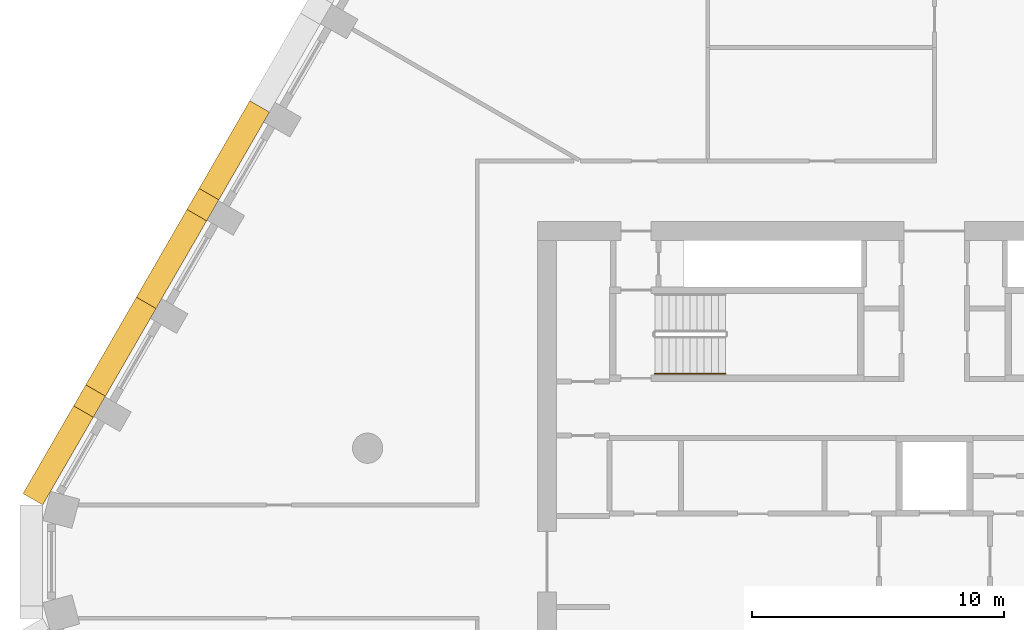
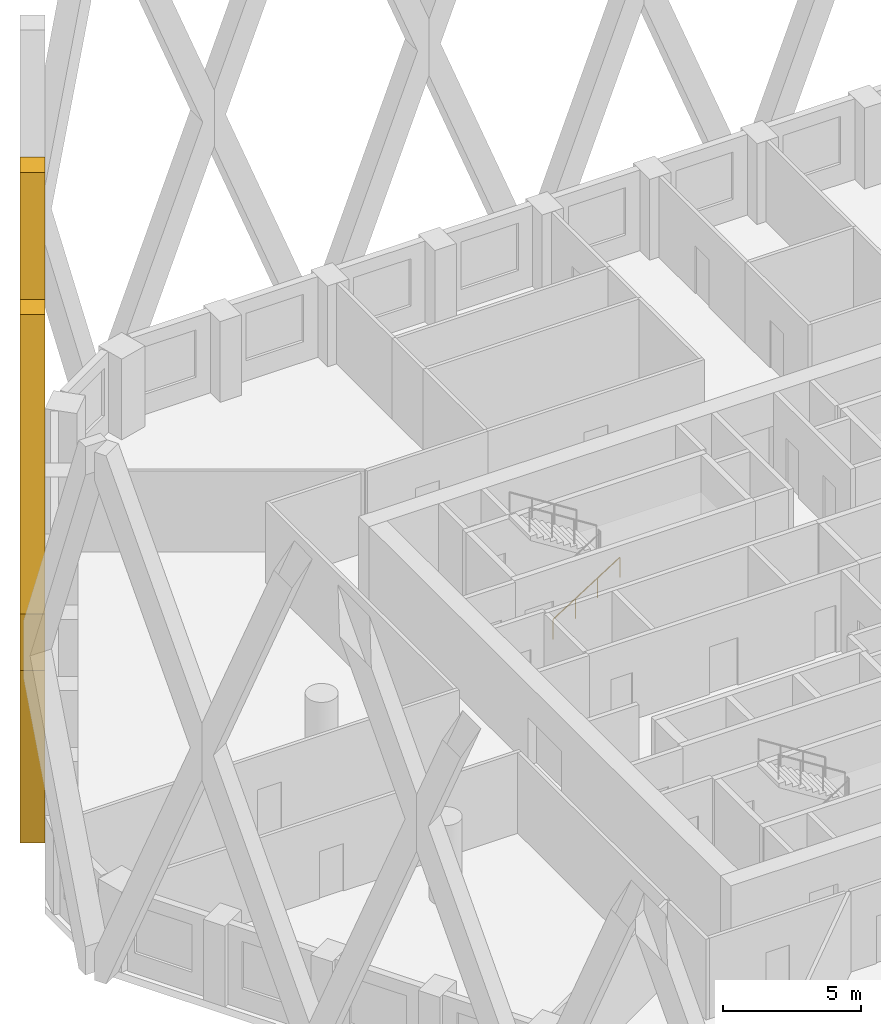
# One storey, part 13 of 17: 2 coverings, 1 railing.
"""IFC4 building model written with IfcOpenShell, lengths in metres."""

from ifc_helpers import new_model, si_unit, direction, frame, origin, origin_2d, place, context, subcontext, project, spatial, polyline, circle, outline, extrude, material, type_object, element, save


model = new_model("IFC4")

# Units and contexts
model_context = context("Model", 3, precision=1e-05, world=origin(), true_north=direction((0.0, 1.0)))
body_context = subcontext(model_context, "Body", "Model", "MODEL_VIEW")
ifc_project = project(units=[si_unit("LENGTHUNIT", "METRE"), si_unit("AREAUNIT", "SQUARE_METRE"), si_unit("VOLUMEUNIT", "CUBIC_METRE"), si_unit("PLANEANGLEUNIT", "RADIAN"), si_unit("MASSUNIT", "GRAM", prefix="KILO")], contexts=[model_context])

# Site, building, storey
site_placement = place(None, origin())
site = spatial("IfcSite", under=ifc_project, at=site_placement, CompositionType="ELEMENT")
building_placement = place(site_placement, origin())
building = spatial("IfcBuilding", under=site, at=building_placement, Name="Dhurran Vertical Campus", CompositionType="ELEMENT")
storey_placement = place(building_placement, frame((0.0, 0.0, 156.0)))
storey = spatial("IfcBuildingStorey", under=building, at=storey_placement, Name="L38", CompositionType="ELEMENT", Elevation=156.0)

# Coverings
ifc_material_1 = material(Name="Precast concrete C50/60", Category="concrete")
covering_type = type_object("IfcCoveringType", Name="Folded precast fin lattice diamond", PredefinedType="USERDEFINED", material=ifc_material_1)
for number, where, z_axis, x_axis, name in (
    (1, (-26.397216796875, 17.83837890625, 0.0), (-0.865896406789, 0.500223362819, 0.0), (-0.500223362819, -0.865896406789, 0.0), "FN1 L38.022"),
    (2, (-30.897216796875, 10.044189453125, 0.0), (-0.866013897511, 0.50001992892, 0.0), (-0.50001992892, -0.866013897511, 0.0), "FN1 L38.023"),
):
    element("IfcCovering", number, at=place(storey_placement, frame(where, z_axis=z_axis, x_axis=x_axis)), inside=storey, type_object=covering_type, Name=name, ObjectType="FIN", PredefinedType="USERDEFINED", context=body_context, shape_type="SweptSolid", body=[
        extrude(outline(polyline([(9.0, 12.95361328125), (9.0, 10.4462890625), (4.982177734375, 0.0), (4.017822265625, 0.0), (0.0, 10.4462890625), (0.0, 12.95361328125), (4.017822265625, 23.39990234375), (4.982177734375, 23.39990234375), (9.0, 12.95361328125)]), holes=[polyline([(8.517822265625, 11.699951171875), (4.5, 22.146484375), (0.482177734375, 11.699951171875), (4.5, 1.253662109375), (8.517822265625, 11.699951171875)])]), origin(), (0.0, 0.0, 1.0), 0.89990234375),
    ])

# Railing
ifc_material_2 = material(Name="Stainless steel handrail", Category="steel")
railing_type = type_object("IfcRailingType", Name="co-RL-HANDRAIL-900", PredefinedType="HANDRAIL", material=ifc_material_2)
railing_placement = place(storey_placement, frame((-11.10009765625, 7.449951171875, 0.17724609375)))
element("IfcRailing", 3, at=railing_placement, inside=storey, type_object=railing_type, Name="L38 ST1 stair handrail 1", PredefinedType="HANDRAIL", context=body_context, shape_type="SweptSolid", body=[
    extrude(circle(Radius=0.02392578125, at=origin_2d()), frame((0.0, 0.0, 0.8759765625), z_axis=(0.844908973607, 0.0, 0.534910110503), x_axis=(0.0, 1.0, 0.0)), (0.0, 0.0, 1.0), 3.31396484375),
    extrude(circle(Radius=0.02099609375, at=origin_2d()), origin(), (0.0, 0.0, 1.0), 0.851806640625),
    extrude(circle(Radius=0.02099609375, at=origin_2d()), frame((0.933349609375, 0.0, 0.5908203125)), (0.0, 0.0, 1.0), 0.851806640625),
    extrude(circle(Radius=0.02099609375, at=origin_2d()), frame((1.86669921875, 0.0, 1.181884765625)), (0.0, 0.0, 1.0), 0.851806640625),
    extrude(circle(Radius=0.02099609375, at=origin_2d()), frame((2.800048828125, 0.0, 1.772705078125)), (0.0, 0.0, 1.0), 0.851806640625),
])

save(model, "model.ifc")
